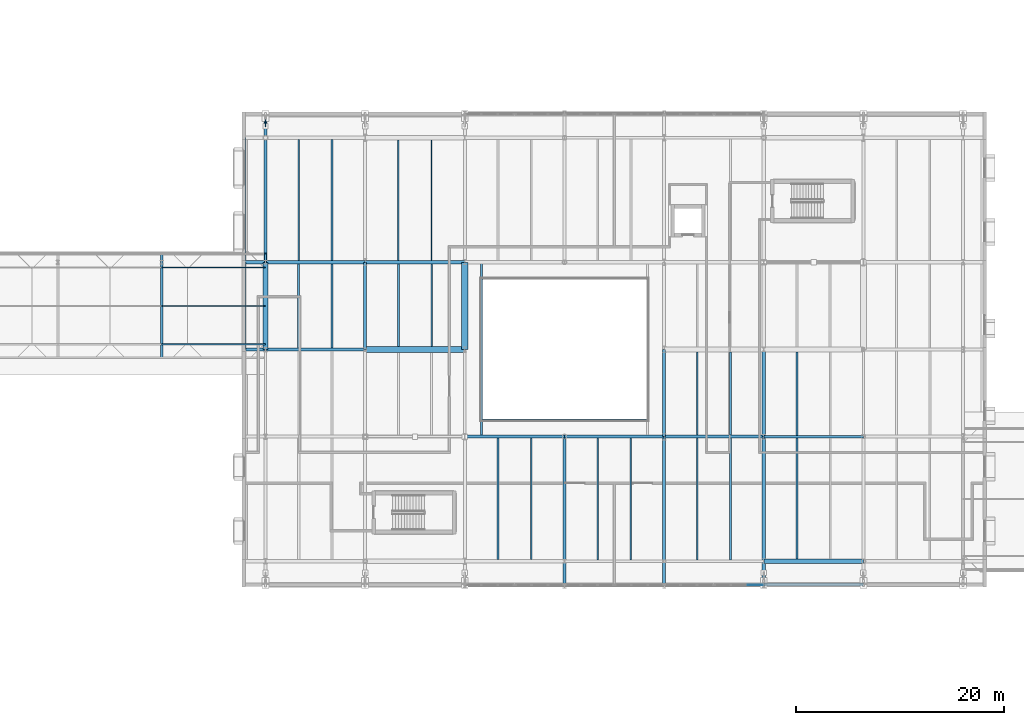
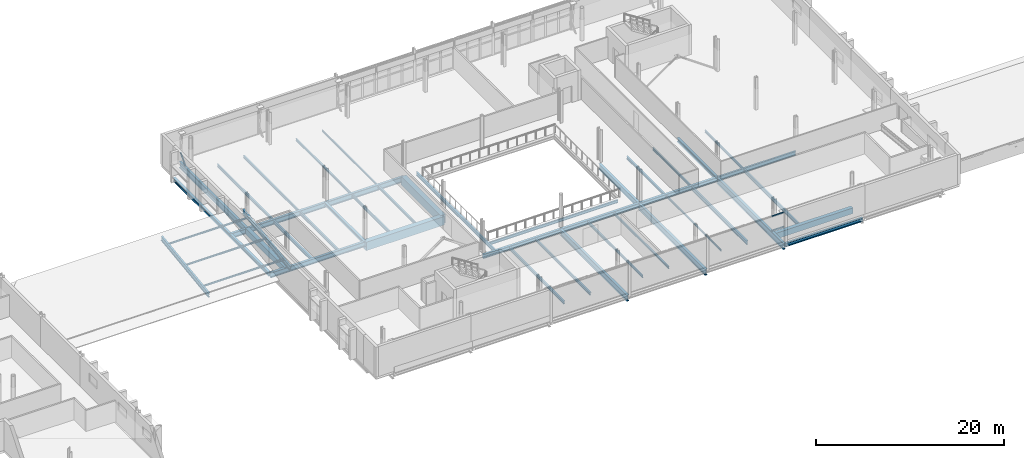
# One storey, part 28 of 90: 43 beams, 6 members, 1 element without a shape of its own.
"""IFC4 building model written with IfcOpenShell, lengths in metres."""

from ifc_helpers import new_model, si_unit, direction, frame, origin, origin_2d, place, context, subcontext, project, spatial, rectangle, hollow_rectangle, i_section, extrude, material, layer, layer_set, material_profile, profile_set, type_object, element, aggregate, save


model = new_model("IFC4")

# Units and contexts
model_context = context("Model", 3, precision=1e-05, world=origin(), true_north=direction((0.0, 1.0)))
body_context = subcontext(model_context, "Body", "Model", "MODEL_VIEW")
ifc_project = project(units=[si_unit("LENGTHUNIT", "METRE"), si_unit("AREAUNIT", "SQUARE_METRE"), si_unit("VOLUMEUNIT", "CUBIC_METRE"), si_unit("PLANEANGLEUNIT", "RADIAN"), si_unit("MASSUNIT", "GRAM", prefix="KILO")], contexts=[model_context])

# Site, building, storey
site_placement = place(None, origin())
site = spatial("IfcSite", under=ifc_project, at=site_placement, CompositionType="ELEMENT")
building_placement = place(site_placement, origin())
building = spatial("IfcBuilding", under=site, at=building_placement, Name="Zereglee Splitstone Museum", CompositionType="ELEMENT")
storey_placement = place(building_placement, frame((0.0, 0.0, 4.800048828125)))
storey = spatial("IfcBuildingStorey", under=building, at=storey_placement, Name="L01", CompositionType="ELEMENT", Elevation=4.800048828125)

# Beams
ifc_material_1 = material(Name="Concrete C40/50", Category="concrete")
ifc_material_profile_1 = material_profile(ifc_material_1, rectangle(XDim=0.60009765625, YDim=1.10009765625, at=origin_2d()), Name="RC 600x1100")
ifc_profile_set_1 = profile_set([ifc_material_profile_1], Name="Concrete C40/50")
beam_type_1 = type_object("IfcBeamType", Name="BG-01", PredefinedType="BEAM", material=ifc_profile_set_1)
beam_1_placement = place(storey_placement, frame((87.60009765625, 30.0, -0.85009765625), z_axis=(1.0, 0.0, 0.0), x_axis=(0.0, 1.0, 0.0)))
element("IfcBeam", 1, at=beam_1_placement, inside=storey, type_object=beam_type_1, Name="Primary Girder L01 D (87.6-97.2)", PredefinedType="BEAM", context=body_context, shape_type="SweptSolid", body=[
    extrude(rectangle(XDim=0.60009765625, YDim=1.10009765625, at=origin_2d()), origin(), (0.0, 0.0, 1.0), 9.599853515625),
])
beam_2_placement = place(storey_placement, frame((97.199951171875, 30.0, -0.85009765625), z_axis=(0.0, 1.0, 0.0), x_axis=(-1.0, 0.0, 0.0)))
element("IfcBeam", 2, at=beam_2_placement, inside=storey, type_object=beam_type_1, Name="Primary Girder L01 12 (30.0-38.4)", PredefinedType="BEAM", context=body_context, shape_type="SweptSolid", body=[
    extrude(rectangle(XDim=0.60009765625, YDim=1.10009765625, at=origin_2d()), origin(), (0.0, 0.0, 1.0), 8.39990234375),
])

# Curtain wall, members
ifc_material_2 = material(Name="Triple-glazed low-E argon glass and bronze-anodised aluminium", Category="aluminium")
ifc_layer = layer(ifc_material_2, 0.219970703125)
ifc_layer_set = layer_set([ifc_layer], Name="Triple-glazed low-E argon glass and bronze-anodised aluminium")
curtain_wall_type = type_object("IfcCurtainWallType", Name="CW-0476-376", PredefinedType="USERDEFINED", material=ifc_layer_set)
curtain_wall_placement = place(storey_placement, origin())
curtain_wall = element("IfcCurtainWall", 3, at=curtain_wall_placement, inside=storey, type_object=curtain_wall_type, Name="Glazed Curtain Wall CW-0476-376 (L01)", ObjectType="GLAZED CURTAIN WALL", PredefinedType="USERDEFINED")
ifc_material_3 = material(Name="Thermally broken bronze-anodised aluminium", Category="aluminium")
ifc_material_profile_2 = material_profile(ifc_material_3, rectangle(XDim=0.074951171875, YDim=0.1650390625, at=origin_2d()), Name="CW TRAN 75x165")
ifc_profile_set_2 = profile_set([ifc_material_profile_2], Name="Thermally broken bronze-anodised aluminium")
member_type_1 = type_object("IfcMemberType", Name="CWT-02", PredefinedType="USERDEFINED", material=ifc_profile_set_2)
member_1_placement = place(storey_placement, frame((124.450927734375, 7.320068359375, 1.8798828125), z_axis=(1.0, 0.0, 0.0), x_axis=(0.0, 1.0, 0.0)))
member_1 = element("IfcMember", 4, at=member_1_placement, type_object=member_type_1, Name="CW-0476-376 transom 3.2", ObjectType="TRANSOM", PredefinedType="USERDEFINED", context=body_context, shape_type="SweptSolid", body=[
    extrude(rectangle(XDim=0.074951171875, YDim=0.1650390625, at=origin_2d()), origin(), (0.0, 0.0, 1.0), 1.47412109375),
])
member_2_placement = place(storey_placement, frame((124.450927734375, 7.320068359375, 3.722412109375), z_axis=(1.0, 0.0, 0.0), x_axis=(0.0, 1.0, 0.0)))
member_2 = element("IfcMember", 5, at=member_2_placement, type_object=member_type_1, Name="CW-0476-376 transom 3.3", ObjectType="TRANSOM", PredefinedType="USERDEFINED", context=body_context, shape_type="SweptSolid", body=[
    extrude(rectangle(XDim=0.074951171875, YDim=0.1650390625, at=origin_2d()), origin(), (0.0, 0.0, 1.0), 1.47412109375),
])
aggregate(curtain_wall, [member_1, member_2])

# Beams
ifc_material_4 = material(Name="Steel S355J2", Category="steel")
ifc_material_profile_3 = material_profile(ifc_material_4, i_section(OverallWidth=0.300048828125, OverallDepth=0.39990234375, WebThickness=0.013427734375, FlangeThickness=0.02392578125, FilletRadius=0.027099609375, at=origin_2d()), Name="HE 400 B")
ifc_profile_set_3 = profile_set([ifc_material_profile_3], Name="Steel S355J2")
beam_type_2 = type_object("IfcBeamType", Name="BG-13", PredefinedType="BEAM", material=ifc_profile_set_3)
beam_3_placement = place(storey_placement, frame((87.60009765625, 30.0, -0.5), z_axis=(0.0, 1.0, 0.0), x_axis=(-1.0, 0.0, 0.0)))
element("IfcBeam", 6, at=beam_3_placement, inside=storey, type_object=beam_type_2, Name="Primary Girder L01 11 (30.0-38.4)", PredefinedType="BEAM", context=body_context, shape_type="SweptSolid", body=[
    extrude(i_section(OverallWidth=0.300048828125, OverallDepth=0.39990234375, WebThickness=0.013427734375, FlangeThickness=0.02392578125, FilletRadius=0.027099609375, at=origin_2d()), origin(), (0.0, 0.0, 1.0), 8.39990234375),
])
ifc_material_profile_4 = material_profile(ifc_material_4, i_section(OverallWidth=0.300048828125, OverallDepth=0.5, WebThickness=0.014404296875, FlangeThickness=0.028076171875, FilletRadius=0.027099609375, at=origin_2d()), Name="HE 500 B")
ifc_profile_set_4 = profile_set([ifc_material_profile_4], Name="Steel S355J2")
beam_type_3 = type_object("IfcBeamType", Name="BG-12", PredefinedType="BEAM", material=ifc_profile_set_4)
beam_4_placement = place(storey_placement, frame((97.199951171875, 21.60009765625, -0.550048828125), z_axis=(1.0, 0.0, 0.0), x_axis=(0.0, 1.0, 0.0)))
element("IfcBeam", 7, at=beam_4_placement, inside=storey, type_object=beam_type_3, Name="Primary Girder L01 C (97.2-106.8)", PredefinedType="BEAM", context=body_context, shape_type="SweptSolid", body=[
    extrude(i_section(OverallWidth=0.300048828125, OverallDepth=0.5, WebThickness=0.014404296875, FlangeThickness=0.028076171875, FilletRadius=0.027099609375, at=origin_2d()), origin(), (0.0, 0.0, 1.0), 9.60009765625),
])
beam_5_placement = place(storey_placement, frame((126.0, 21.60009765625, -0.550048828125), z_axis=(0.0, 1.0, 0.0), x_axis=(-1.0, 0.0, 0.0)))
element("IfcBeam", 8, at=beam_5_placement, inside=storey, type_object=beam_type_3, Name="Primary Girder L01 15 (21.6-30.0)", PredefinedType="BEAM", context=body_context, shape_type="SweptSolid", body=[
    extrude(i_section(OverallWidth=0.300048828125, OverallDepth=0.5, WebThickness=0.014404296875, FlangeThickness=0.028076171875, FilletRadius=0.027099609375, at=origin_2d()), origin(), (0.0, 0.0, 1.0), 8.39990234375),
])
ifc_material_profile_5 = material_profile(ifc_material_4, i_section(OverallWidth=0.300048828125, OverallDepth=0.550048828125, WebThickness=0.014892578125, FlangeThickness=0.029052734375, FilletRadius=0.027099609375, at=origin_2d()), Name="HE 550 B")
ifc_profile_set_5 = profile_set([ifc_material_profile_5], Name="Steel S355J2")
beam_type_4 = type_object("IfcBeamType", Name="BG-11", PredefinedType="BEAM", material=ifc_profile_set_5)
beam_6_placement = place(storey_placement, frame((106.800048828125, 21.60009765625, -0.574951171875), z_axis=(1.0, 0.0, 0.0), x_axis=(0.0, 1.0, 0.0)))
element("IfcBeam", 9, at=beam_6_placement, inside=storey, type_object=beam_type_4, Name="Primary Girder L01 C (106.8-116.4)", PredefinedType="BEAM", context=body_context, shape_type="SweptSolid", body=[
    extrude(i_section(OverallWidth=0.300048828125, OverallDepth=0.550048828125, WebThickness=0.014892578125, FlangeThickness=0.029052734375, FilletRadius=0.027099609375, at=origin_2d()), origin(), (0.0, 0.0, 1.0), 9.599853515625),
])
beam_7_placement = place(storey_placement, frame((116.39990234375, 21.60009765625, -0.574951171875), z_axis=(1.0, 0.0, 0.0), x_axis=(0.0, 1.0, 0.0)))
element("IfcBeam", 10, at=beam_7_placement, inside=storey, type_object=beam_type_4, Name="Primary Girder L01 C (116.4-126.0)", PredefinedType="BEAM", context=body_context, shape_type="SweptSolid", body=[
    extrude(i_section(OverallWidth=0.300048828125, OverallDepth=0.550048828125, WebThickness=0.014892578125, FlangeThickness=0.029052734375, FilletRadius=0.027099609375, at=origin_2d()), origin(), (0.0, 0.0, 1.0), 9.60009765625),
])
ifc_material_profile_6 = material_profile(ifc_material_4, i_section(OverallWidth=0.300048828125, OverallDepth=0.64990234375, WebThickness=0.01611328125, FlangeThickness=0.031005859375, FilletRadius=0.027099609375, at=origin_2d()), Name="HE 650 B")
ifc_profile_set_6 = profile_set([ifc_material_profile_6], Name="Steel S355J2")
beam_type_5 = type_object("IfcBeamType", Name="BG-09", PredefinedType="BEAM", material=ifc_profile_set_6)
for number, where, z_axis, x_axis, name in (
    (11, (75.949951171875, 30.0, -0.625), (1.0, 0.0, 0.0), (0.0, 1.0, 0.0), "Primary Girder L01 D (76.0-87.6)"),
    (12, (75.949951171875, 38.39990234375, -0.625), (1.0, 0.0, 0.0), (0.0, 1.0, 0.0), "Primary Girder L01 E (76.0-87.6)"),
):
    element("IfcBeam", number, at=place(storey_placement, frame(where, z_axis=z_axis, x_axis=x_axis)), inside=storey, type_object=beam_type_5, Name=name, PredefinedType="BEAM", context=body_context, shape_type="SweptSolid", body=[
        extrude(i_section(OverallWidth=0.300048828125, OverallDepth=0.64990234375, WebThickness=0.01611328125, FlangeThickness=0.031005859375, FilletRadius=0.027099609375, at=origin_2d()), origin(), (0.0, 0.0, 1.0), 11.650146484375),
    ])
ifc_material_profile_7 = material_profile(ifc_material_4, i_section(OverallWidth=0.300048828125, OverallDepth=0.699951171875, WebThickness=0.01708984375, FlangeThickness=0.031982421875, FilletRadius=0.027099609375, at=origin_2d()), Name="HE 700 B")
ifc_profile_set_7 = profile_set([ifc_material_profile_7], Name="Steel S355J2")
beam_type_6 = type_object("IfcBeamType", Name="BG-08", PredefinedType="BEAM", material=ifc_profile_set_7)
beam_8_placement = place(storey_placement, frame((87.60009765625, 38.39990234375, -0.650146484375), z_axis=(1.0, 0.0, 0.0), x_axis=(0.0, 1.0, 0.0)))
element("IfcBeam", 13, at=beam_8_placement, inside=storey, type_object=beam_type_6, Name="Primary Girder L01 E (87.6-97.2)", PredefinedType="BEAM", context=body_context, shape_type="SweptSolid", body=[
    extrude(i_section(OverallWidth=0.300048828125, OverallDepth=0.699951171875, WebThickness=0.01708984375, FlangeThickness=0.031982421875, FilletRadius=0.027099609375, at=origin_2d()), origin(), (0.0, 0.0, 1.0), 9.599853515625),
])
beam_9_placement = place(storey_placement, frame((116.39990234375, 21.60009765625, -0.650146484375), z_axis=(0.0, 1.0, 0.0), x_axis=(-1.0, 0.0, 0.0)))
element("IfcBeam", 14, at=beam_9_placement, inside=storey, type_object=beam_type_6, Name="Primary Girder L01 14 (21.6-30.0)", PredefinedType="BEAM", context=body_context, shape_type="SweptSolid", body=[
    extrude(i_section(OverallWidth=0.300048828125, OverallDepth=0.699951171875, WebThickness=0.01708984375, FlangeThickness=0.031982421875, FilletRadius=0.027099609375, at=origin_2d()), origin(), (0.0, 0.0, 1.0), 8.39990234375),
])
ifc_material_profile_8 = material_profile(ifc_material_4, i_section(OverallWidth=0.300048828125, OverallDepth=0.800048828125, WebThickness=0.017578125, FlangeThickness=0.032958984375, FilletRadius=0.030029296875, at=origin_2d()), Name="HE 800 B")
ifc_profile_set_8 = profile_set([ifc_material_profile_8], Name="Steel S355J2")
beam_type_7 = type_object("IfcBeamType", Name="BG-07", PredefinedType="BEAM", material=ifc_profile_set_8)
for number, where, z_axis, x_axis, name in (
    (15, (78.0, 38.39990234375, -0.699951171875), (0.0, 1.0, 0.0), (-1.0, 0.0, 0.0), "Primary Girder L01 10 (38.4-52.6)"),
    (16, (106.800048828125, 7.35009765625, -0.699951171875), (0.0, 1.0, 0.0), (-1.0, 0.0, 0.0), "Primary Girder L01 13 (7.3-21.6)"),
    (17, (116.39990234375, 7.35009765625, -0.699951171875), (0.0, 1.0, 0.0), (-1.0, 0.0, 0.0), "Primary Girder L01 14 (7.3-21.6)"),
    (18, (126.0, 7.35009765625, -0.699951171875), (0.0, 1.0, 0.0), (-1.0, 0.0, 0.0), "Primary Girder L01 15 (7.3-21.6)"),
):
    element("IfcBeam", number, at=place(storey_placement, frame(where, z_axis=z_axis, x_axis=x_axis)), inside=storey, type_object=beam_type_7, Name=name, PredefinedType="BEAM", context=body_context, shape_type="SweptSolid", body=[
        extrude(i_section(OverallWidth=0.300048828125, OverallDepth=0.800048828125, WebThickness=0.017578125, FlangeThickness=0.032958984375, FilletRadius=0.030029296875, at=origin_2d()), origin(), (0.0, 0.0, 1.0), 14.25),
    ])
ifc_material_profile_9 = material_profile(ifc_material_4, i_section(OverallWidth=0.2099609375, OverallDepth=0.550048828125, WebThickness=0.010986328125, FlangeThickness=0.01708984375, FilletRadius=0.02392578125, at=origin_2d()), Name="IPE 550")
ifc_profile_set_9 = profile_set([ifc_material_profile_9], Name="Steel S355J2")
beam_type_8 = type_object("IfcBeamType", Name="BG-16", PredefinedType="BEAM", material=ifc_profile_set_9)
beam_10_placement = place(storey_placement, frame((126.0, 21.60009765625, -0.574951171875), z_axis=(1.0, 0.0, 0.0), x_axis=(0.0, 1.0, 0.0)))
element("IfcBeam", 19, at=beam_10_placement, inside=storey, type_object=beam_type_8, Name="Primary Girder L01 C (126.0-135.6)", PredefinedType="BEAM", context=body_context, shape_type="SweptSolid", body=[
    extrude(i_section(OverallWidth=0.2099609375, OverallDepth=0.550048828125, WebThickness=0.010986328125, FlangeThickness=0.01708984375, FilletRadius=0.02392578125, at=origin_2d()), origin(), (0.0, 0.0, 1.0), 9.60009765625),
])
ifc_material_profile_10 = material_profile(ifc_material_4, i_section(OverallWidth=0.1201171875, OverallDepth=0.239990234375, WebThickness=0.006103515625, FlangeThickness=0.009765625, FilletRadius=0.014892578125, at=origin_2d()), Name="IPE 240")
ifc_profile_set_10 = profile_set([ifc_material_profile_10], Name="Steel S355J2")
beam_type_9 = type_object("IfcBeamType", Name="BJ-07", PredefinedType="JOIST", material=ifc_profile_set_10)
beam_11_placement = place(storey_placement, frame((119.60009765625, 9.699951171875, -0.420166015625), z_axis=(0.0, 1.0, 0.0), x_axis=(-1.0, 0.0, 0.0)))
element("IfcBeam", 20, at=beam_11_placement, inside=storey, type_object=beam_type_9, Name="Secondary Floor Joist L01-0713", PredefinedType="JOIST", context=body_context, shape_type="SweptSolid", body=[
    extrude(i_section(OverallWidth=0.1201171875, OverallDepth=0.239990234375, WebThickness=0.006103515625, FlangeThickness=0.009765625, FilletRadius=0.014892578125, at=origin_2d()), origin(), (0.0, 0.0, 1.0), 11.75),
])
beam_12_placement = place(storey_placement, frame((94.0, 38.550048828125, -0.420166015625), z_axis=(0.0, 1.0, 0.0), x_axis=(-1.0, 0.0, 0.0)))
element("IfcBeam", 21, at=beam_12_placement, inside=storey, type_object=beam_type_9, Name="Secondary Floor Joist L01-0797", PredefinedType="JOIST", context=body_context, shape_type="SweptSolid", body=[
    extrude(i_section(OverallWidth=0.1201171875, OverallDepth=0.239990234375, WebThickness=0.006103515625, FlangeThickness=0.009765625, FilletRadius=0.014892578125, at=origin_2d()), origin(), (0.0, 0.0, 1.0), 11.625),
])
ifc_material_profile_11 = material_profile(ifc_material_4, i_section(OverallWidth=0.14990234375, OverallDepth=0.300048828125, WebThickness=0.007080078125, FlangeThickness=0.0107421875, FilletRadius=0.014892578125, at=origin_2d()), Name="IPE 300")
ifc_profile_set_11 = profile_set([ifc_material_profile_11], Name="Steel S355J2")
beam_type_10 = type_object("IfcBeamType", Name="BJ-06", PredefinedType="JOIST", material=ifc_profile_set_11)
beam_13_placement = place(storey_placement, frame((113.199951171875, 9.739990234375, -0.449951171875), z_axis=(0.0, 1.0, 0.0), x_axis=(-1.0, 0.0, 0.0)))
element("IfcBeam", 22, at=beam_13_placement, inside=storey, type_object=beam_type_10, Name="Secondary Floor Joist L01-0712", PredefinedType="JOIST", context=body_context, shape_type="SweptSolid", body=[
    extrude(i_section(OverallWidth=0.14990234375, OverallDepth=0.300048828125, WebThickness=0.007080078125, FlangeThickness=0.0107421875, FilletRadius=0.014892578125, at=origin_2d()), origin(), (0.0, 0.0, 1.0), 11.7099609375),
])
beam_14_placement = place(storey_placement, frame((129.199951171875, 21.705078125, -0.449951171875), z_axis=(0.0, 1.0, 0.0), x_axis=(-1.0, 0.0, 0.0)))
element("IfcBeam", 23, at=beam_14_placement, inside=storey, type_object=beam_type_10, Name="Secondary Floor Joist L01-0740", PredefinedType="JOIST", context=body_context, shape_type="SweptSolid", body=[
    extrude(i_section(OverallWidth=0.14990234375, OverallDepth=0.300048828125, WebThickness=0.007080078125, FlangeThickness=0.0107421875, FilletRadius=0.014892578125, at=origin_2d()), origin(), (0.0, 0.0, 1.0), 8.06982421875),
])
beam_15_placement = place(storey_placement, frame((90.800048828125, 38.550048828125, -0.449951171875), z_axis=(0.0, 1.0, 0.0), x_axis=(-1.0, 0.0, 0.0)))
element("IfcBeam", 24, at=beam_15_placement, inside=storey, type_object=beam_type_10, Name="Secondary Floor Joist L01-0796", PredefinedType="JOIST", context=body_context, shape_type="SweptSolid", body=[
    extrude(i_section(OverallWidth=0.14990234375, OverallDepth=0.300048828125, WebThickness=0.007080078125, FlangeThickness=0.0107421875, FilletRadius=0.014892578125, at=origin_2d()), origin(), (0.0, 0.0, 1.0), 11.625),
])
ifc_material_profile_12 = material_profile(ifc_material_4, i_section(OverallWidth=0.159912109375, OverallDepth=0.330078125, WebThickness=0.007568359375, FlangeThickness=0.011474609375, FilletRadius=0.01806640625, at=origin_2d()), Name="IPE 330")
ifc_profile_set_12 = profile_set([ifc_material_profile_12], Name="Steel S355J2")
beam_type_11 = type_object("IfcBeamType", Name="BJ-05", PredefinedType="JOIST", material=ifc_profile_set_12)
beam_16_placement = place(storey_placement, frame((110.0, 9.739990234375, -0.465087890625), z_axis=(0.0, 1.0, 0.0), x_axis=(-1.0, 0.0, 0.0)))
element("IfcBeam", 25, at=beam_16_placement, inside=storey, type_object=beam_type_11, Name="Secondary Floor Joist L01-0711", PredefinedType="JOIST", context=body_context, shape_type="SweptSolid", body=[
    extrude(i_section(OverallWidth=0.159912109375, OverallDepth=0.330078125, WebThickness=0.007568359375, FlangeThickness=0.011474609375, FilletRadius=0.01806640625, at=origin_2d()), origin(), (0.0, 0.0, 1.0), 11.7099609375),
])
beam_17_placement = place(storey_placement, frame((122.800048828125, 21.75, -0.465087890625), z_axis=(0.0, 1.0, 0.0), x_axis=(-1.0, 0.0, 0.0)))
element("IfcBeam", 26, at=beam_17_placement, inside=storey, type_object=beam_type_11, Name="Secondary Floor Joist L01-0739", PredefinedType="JOIST", context=body_context, shape_type="SweptSolid", body=[
    extrude(i_section(OverallWidth=0.159912109375, OverallDepth=0.330078125, WebThickness=0.007568359375, FlangeThickness=0.011474609375, FilletRadius=0.01806640625, at=origin_2d()), origin(), (0.0, 0.0, 1.0), 8.0),
])
beam_18_placement = place(storey_placement, frame((94.0, 30.300048828125, -0.465087890625), z_axis=(0.0, 1.0, 0.0), x_axis=(-1.0, 0.0, 0.0)))
element("IfcBeam", 27, at=beam_18_placement, inside=storey, type_object=beam_type_11, Name="Secondary Floor Joist L01-0767", PredefinedType="JOIST", context=body_context, shape_type="SweptSolid", body=[
    extrude(i_section(OverallWidth=0.159912109375, OverallDepth=0.330078125, WebThickness=0.007568359375, FlangeThickness=0.011474609375, FilletRadius=0.01806640625, at=origin_2d()), origin(), (0.0, 0.0, 1.0), 7.949951171875),
])
beam_19_placement = place(storey_placement, frame((84.39990234375, 38.550048828125, -0.465087890625), z_axis=(0.0, 1.0, 0.0), x_axis=(-1.0, 0.0, 0.0)))
element("IfcBeam", 28, at=beam_19_placement, inside=storey, type_object=beam_type_11, Name="Secondary Floor Joist L01-0795", PredefinedType="JOIST", context=body_context, shape_type="SweptSolid", body=[
    extrude(i_section(OverallWidth=0.159912109375, OverallDepth=0.330078125, WebThickness=0.007568359375, FlangeThickness=0.011474609375, FilletRadius=0.01806640625, at=origin_2d()), origin(), (0.0, 0.0, 1.0), 11.699951171875),
])
ifc_material_profile_13 = material_profile(ifc_material_4, i_section(OverallWidth=0.169921875, OverallDepth=0.360107421875, WebThickness=0.008056640625, FlangeThickness=0.0126953125, FilletRadius=0.01806640625, at=origin_2d()), Name="IPE 360")
ifc_profile_set_13 = profile_set([ifc_material_profile_13], Name="Steel S355J2")
beam_type_12 = type_object("IfcBeamType", Name="BJ-04", PredefinedType="JOIST", material=ifc_profile_set_13)
beam_20_placement = place(storey_placement, frame((103.60009765625, 9.75, -0.47998046875), z_axis=(0.0, 1.0, 0.0), x_axis=(-1.0, 0.0, 0.0)))
element("IfcBeam", 29, at=beam_20_placement, inside=storey, type_object=beam_type_12, Name="Secondary Floor Joist L01-0710", PredefinedType="JOIST", context=body_context, shape_type="SweptSolid", body=[
    extrude(i_section(OverallWidth=0.169921875, OverallDepth=0.360107421875, WebThickness=0.008056640625, FlangeThickness=0.0126953125, FilletRadius=0.01806640625, at=origin_2d()), origin(), (0.0, 0.0, 1.0), 11.699951171875),
])
beam_21_placement = place(storey_placement, frame((119.60009765625, 21.75, -0.47998046875), z_axis=(0.0, 1.0, 0.0), x_axis=(-1.0, 0.0, 0.0)))
element("IfcBeam", 30, at=beam_21_placement, inside=storey, type_object=beam_type_12, Name="Secondary Floor Joist L01-0738", PredefinedType="JOIST", context=body_context, shape_type="SweptSolid", body=[
    extrude(i_section(OverallWidth=0.169921875, OverallDepth=0.360107421875, WebThickness=0.008056640625, FlangeThickness=0.0126953125, FilletRadius=0.01806640625, at=origin_2d()), origin(), (0.0, 0.0, 1.0), 8.0),
])
beam_22_placement = place(storey_placement, frame((90.800048828125, 30.300048828125, -0.47998046875), z_axis=(0.0, 1.0, 0.0), x_axis=(-1.0, 0.0, 0.0)))
element("IfcBeam", 31, at=beam_22_placement, inside=storey, type_object=beam_type_12, Name="Secondary Floor Joist L01-0766", PredefinedType="JOIST", context=body_context, shape_type="SweptSolid", body=[
    extrude(i_section(OverallWidth=0.169921875, OverallDepth=0.360107421875, WebThickness=0.008056640625, FlangeThickness=0.0126953125, FilletRadius=0.01806640625, at=origin_2d()), origin(), (0.0, 0.0, 1.0), 7.949951171875),
])
beam_23_placement = place(storey_placement, frame((81.199951171875, 38.550048828125, -0.47998046875), z_axis=(0.0, 1.0, 0.0), x_axis=(-1.0, 0.0, 0.0)))
element("IfcBeam", 32, at=beam_23_placement, inside=storey, type_object=beam_type_12, Name="Secondary Floor Joist L01-0794", PredefinedType="JOIST", context=body_context, shape_type="SweptSolid", body=[
    extrude(i_section(OverallWidth=0.169921875, OverallDepth=0.360107421875, WebThickness=0.008056640625, FlangeThickness=0.0126953125, FilletRadius=0.01806640625, at=origin_2d()), origin(), (0.0, 0.0, 1.0), 11.699951171875),
])
beam_24_placement = place(storey_placement, frame((98.89990234375, 23.199951171875, -0.47998046875), z_axis=(1.0, 0.0, 0.0), x_axis=(0.0, 1.0, 0.0)))
element("IfcBeam", 33, at=beam_24_placement, inside=storey, type_object=beam_type_12, Name="Atrium Rim Beam L01 S", PredefinedType="JOIST", context=body_context, shape_type="SweptSolid", body=[
    extrude(i_section(OverallWidth=0.169921875, OverallDepth=0.360107421875, WebThickness=0.008056640625, FlangeThickness=0.0126953125, FilletRadius=0.01806640625, at=origin_2d()), origin(), (0.0, 0.0, 1.0), 15.800048828125),
])
ifc_material_profile_14 = material_profile(ifc_material_4, i_section(OverallWidth=0.179931640625, OverallDepth=0.39990234375, WebThickness=0.008544921875, FlangeThickness=0.013427734375, FilletRadius=0.02099609375, at=origin_2d()), Name="IPE 400")
ifc_profile_set_14 = profile_set([ifc_material_profile_14], Name="Steel S355J2")
beam_type_13 = type_object("IfcBeamType", Name="BJ-03", PredefinedType="JOIST", material=ifc_profile_set_14)
beam_25_placement = place(storey_placement, frame((100.39990234375, 9.75, -0.5), z_axis=(0.0, 1.0, 0.0), x_axis=(-1.0, 0.0, 0.0)))
element("IfcBeam", 34, at=beam_25_placement, inside=storey, type_object=beam_type_13, Name="Secondary Floor Joist L01-0709", PredefinedType="JOIST", context=body_context, shape_type="SweptSolid", body=[
    extrude(i_section(OverallWidth=0.179931640625, OverallDepth=0.39990234375, WebThickness=0.008544921875, FlangeThickness=0.013427734375, FilletRadius=0.02099609375, at=origin_2d()), origin(), (0.0, 0.0, 1.0), 11.699951171875),
])
beam_26_placement = place(storey_placement, frame((84.39990234375, 30.14990234375, -0.5), z_axis=(0.0, 1.0, 0.0), x_axis=(-1.0, 0.0, 0.0)))
element("IfcBeam", 35, at=beam_26_placement, inside=storey, type_object=beam_type_13, Name="Secondary Floor Joist L01-0765", PredefinedType="JOIST", context=body_context, shape_type="SweptSolid", body=[
    extrude(i_section(OverallWidth=0.179931640625, OverallDepth=0.39990234375, WebThickness=0.008544921875, FlangeThickness=0.013427734375, FilletRadius=0.02099609375, at=origin_2d()), origin(), (0.0, 0.0, 1.0), 8.10009765625),
])
ifc_material_profile_15 = material_profile(ifc_material_4, i_section(OverallWidth=0.18994140625, OverallDepth=0.449951171875, WebThickness=0.009521484375, FlangeThickness=0.0146484375, FilletRadius=0.02099609375, at=origin_2d()), Name="IPE 450")
ifc_profile_set_15 = profile_set([ifc_material_profile_15], Name="Steel S355J2")
beam_type_14 = type_object("IfcBeamType", Name="BJ-02", PredefinedType="JOIST", material=ifc_profile_set_15)
beam_27_placement = place(storey_placement, frame((129.199951171875, 9.824951171875, -0.525146484375), z_axis=(0.0, 1.0, 0.0), x_axis=(-1.0, 0.0, 0.0)))
element("IfcBeam", 36, at=beam_27_placement, inside=storey, type_object=beam_type_14, Name="Secondary Floor Joist L01-0715", PredefinedType="JOIST", context=body_context, shape_type="SweptSolid", body=[
    extrude(i_section(OverallWidth=0.18994140625, OverallDepth=0.449951171875, WebThickness=0.009521484375, FlangeThickness=0.0146484375, FilletRadius=0.02099609375, at=origin_2d()), origin(), (0.0, 0.0, 1.0), 11.670166015625),
])
beam_28_placement = place(storey_placement, frame((81.199951171875, 30.14990234375, -0.525146484375), z_axis=(0.0, 1.0, 0.0), x_axis=(-1.0, 0.0, 0.0)))
element("IfcBeam", 37, at=beam_28_placement, inside=storey, type_object=beam_type_14, Name="Secondary Floor Joist L01-0764", PredefinedType="JOIST", context=body_context, shape_type="SweptSolid", body=[
    extrude(i_section(OverallWidth=0.18994140625, OverallDepth=0.449951171875, WebThickness=0.009521484375, FlangeThickness=0.0146484375, FilletRadius=0.02099609375, at=origin_2d()), origin(), (0.0, 0.0, 1.0), 8.10009765625),
])
beam_29_placement = place(storey_placement, frame((98.800048828125, 21.60009765625, -0.525146484375), z_axis=(0.0, 1.0, 0.0), x_axis=(-1.0, 0.0, 0.0)))
element("IfcBeam", 38, at=beam_29_placement, inside=storey, type_object=beam_type_14, Name="Atrium Edge Beam L01 W", PredefinedType="JOIST", context=body_context, shape_type="SweptSolid", body=[
    extrude(i_section(OverallWidth=0.18994140625, OverallDepth=0.449951171875, WebThickness=0.009521484375, FlangeThickness=0.0146484375, FilletRadius=0.02099609375, at=origin_2d()), origin(), (0.0, 0.0, 1.0), 16.7998046875),
])
ifc_material_profile_16 = material_profile(ifc_material_4, i_section(OverallWidth=0.199951171875, OverallDepth=0.5, WebThickness=0.01025390625, FlangeThickness=0.01611328125, FilletRadius=0.02099609375, at=origin_2d()), Name="IPE 500")
ifc_profile_set_16 = profile_set([ifc_material_profile_16], Name="Steel S355J2")
beam_type_15 = type_object("IfcBeamType", Name="BJ-01", PredefinedType="JOIST", material=ifc_profile_set_16)
beam_30_placement = place(storey_placement, frame((122.800048828125, 9.699951171875, -0.550048828125), z_axis=(0.0, 1.0, 0.0), x_axis=(-1.0, 0.0, 0.0)))
element("IfcBeam", 39, at=beam_30_placement, inside=storey, type_object=beam_type_15, Name="Secondary Floor Joist L01-0714", PredefinedType="JOIST", context=body_context, shape_type="SweptSolid", body=[
    extrude(i_section(OverallWidth=0.199951171875, OverallDepth=0.5, WebThickness=0.01025390625, FlangeThickness=0.01611328125, FilletRadius=0.02099609375, at=origin_2d()), origin(), (0.0, 0.0, 1.0), 11.75),
])

# Members
ifc_material_profile_17 = material_profile(ifc_material_4, i_section(OverallWidth=0.110107421875, OverallDepth=0.219970703125, WebThickness=0.005859375, FlangeThickness=0.00927734375, FilletRadius=0.011962890625, at=origin_2d()), Name="IPE 220")
ifc_profile_set_17 = profile_set([ifc_material_profile_17], Name="Steel S355J2")
member_type_2 = type_object("IfcMemberType", Name="PR-04", PredefinedType="PURLIN", material=ifc_profile_set_17)
for number, where, z_axis, x_axis, name in (
    (40, (68.0, 30.5, 0.399658203125), (1.0, 0.0, 0.0), (0.0, 1.0, 0.0), "Roof Purlin RF-L1 (68.0-78.0)"),
    (41, (68.0, 34.199951171875, 0.883544921875), (1.0, 0.0, 0.0), (0.0, 1.0, 0.0), "Roof Purlin RF-L1 (68.0-78.0)"),
    (42, (68.0, 37.89990234375, 1.367431640625), (1.0, 0.0, 0.0), (0.0, 1.0, 0.0), "Roof Purlin RF-L1 (68.0-78.0)"),
):
    element("IfcMember", number, at=place(storey_placement, frame(where, z_axis=z_axis, x_axis=x_axis)), inside=storey, type_object=member_type_2, Name=name, PredefinedType="PURLIN", context=body_context, shape_type="SweptSolid", body=[
        extrude(i_section(OverallWidth=0.110107421875, OverallDepth=0.219970703125, WebThickness=0.005859375, FlangeThickness=0.00927734375, FilletRadius=0.011962890625, at=origin_2d()), origin(), (0.0, 0.0, 1.0), 10.0),
    ])

# Beams
ifc_material_profile_18 = material_profile(ifc_material_4, i_section(OverallWidth=0.219970703125, OverallDepth=0.60009765625, WebThickness=0.011962890625, FlangeThickness=0.01904296875, FilletRadius=0.02392578125, at=origin_2d()), Name="IPE 600")
ifc_profile_set_18 = profile_set([ifc_material_profile_18], Name="Steel S355J2")
beam_type_16 = type_object("IfcBeamType", Name="RR-01", PredefinedType="BEAM", material=ifc_profile_set_18)
for number, where, z_axis, x_axis, name in (
    (43, (68.0, 29.14990234375, 0.03564453125), (0.0, 0.991557588735, 0.129667066837), (-1.0, 0.0, 0.0), "Sloped Roof Girder RF-L1 X=68.0 (29.1-39.2)"),
    (44, (78.0, 29.14990234375, 0.03564453125), (0.0, 0.991557588735, 0.129667066837), (-1.0, 0.0, 0.0), "Sloped Roof Girder RF-L1 X=78.0 (29.1-39.2)"),
):
    element("IfcBeam", number, at=place(storey_placement, frame(where, z_axis=z_axis, x_axis=x_axis)), inside=storey, type_object=beam_type_16, Name=name, PredefinedType="BEAM", context=body_context, shape_type="SweptSolid", body=[
        extrude(i_section(OverallWidth=0.219970703125, OverallDepth=0.60009765625, WebThickness=0.011962890625, FlangeThickness=0.01904296875, FilletRadius=0.02392578125, at=origin_2d()), origin(), (0.0, 0.0, 1.0), 10.18603515625),
    ])
ifc_material_profile_19 = material_profile(ifc_material_4, i_section(OverallWidth=0.300048828125, OverallDepth=0.449951171875, WebThickness=0.013916015625, FlangeThickness=0.02587890625, FilletRadius=0.027099609375, at=origin_2d()), Name="HE 450 B")
ifc_profile_set_19 = profile_set([ifc_material_profile_19], Name="Steel S355J2")
beam_type_17 = type_object("IfcBeamType", Name="SP-02", PredefinedType="SPANDREL", material=ifc_profile_set_19)
beam_31_placement = place(storey_placement, frame((126.0, 7.35009765625, -0.525146484375), z_axis=(1.0, 0.0, 0.0), x_axis=(0.0, 1.0, 0.0)))
element("IfcBeam", 45, at=beam_31_placement, inside=storey, type_object=beam_type_17, Name="Hovering Soffit Spandrel L01 (126.0-135.6)", PredefinedType="SPANDREL", context=body_context, shape_type="SweptSolid", body=[
    extrude(i_section(OverallWidth=0.300048828125, OverallDepth=0.449951171875, WebThickness=0.013916015625, FlangeThickness=0.02587890625, FilletRadius=0.027099609375, at=origin_2d()), origin(), (0.0, 0.0, 1.0), 9.60009765625),
])
beam_32_placement = place(storey_placement, frame((75.949951171875, 30.0, -0.525146484375), z_axis=(0.0, 1.0, 0.0), x_axis=(-1.0, 0.0, 0.0)))
element("IfcBeam", 46, at=beam_32_placement, inside=storey, type_object=beam_type_17, Name="Hovering Soffit Spandrel L01 Y=(30.0-38.4)", PredefinedType="SPANDREL", context=body_context, shape_type="SweptSolid", body=[
    extrude(i_section(OverallWidth=0.300048828125, OverallDepth=0.449951171875, WebThickness=0.013916015625, FlangeThickness=0.02587890625, FilletRadius=0.027099609375, at=origin_2d()), origin(), (0.0, 0.0, 1.0), 8.39990234375),
])
beam_33_placement = place(storey_placement, frame((75.949951171875, 38.39990234375, -0.525146484375), z_axis=(0.0, 1.0, 0.0), x_axis=(-1.0, 0.0, 0.0)))
element("IfcBeam", 47, at=beam_33_placement, inside=storey, type_object=beam_type_17, Name="Hovering Soffit Spandrel L01 Y=(38.4-50.4)", PredefinedType="SPANDREL", context=body_context, shape_type="SweptSolid", body=[
    extrude(i_section(OverallWidth=0.300048828125, OverallDepth=0.449951171875, WebThickness=0.013916015625, FlangeThickness=0.02587890625, FilletRadius=0.027099609375, at=origin_2d()), origin(), (0.0, 0.0, 1.0), 12.0),
])
ifc_material_profile_20 = material_profile(ifc_material_1, rectangle(XDim=0.449951171875, YDim=0.75, at=origin_2d()), Name="RC 450x750")
ifc_profile_set_20 = profile_set([ifc_material_profile_20], Name="Concrete C40/50")
beam_type_18 = type_object("IfcBeamType", Name="SP-01", PredefinedType="SPANDREL", material=ifc_profile_set_20)
beam_34_placement = place(storey_placement, frame((126.0, 9.60009765625, -0.675048828125), z_axis=(1.0, 0.0, 0.0), x_axis=(0.0, 1.0, 0.0)))
element("IfcBeam", 48, at=beam_34_placement, inside=storey, type_object=beam_type_18, Name="Primary Girder L01 B (126.0-135.6)", PredefinedType="SPANDREL", context=body_context, shape_type="SweptSolid", body=[
    extrude(rectangle(XDim=0.449951171875, YDim=0.75, at=origin_2d()), origin(), (0.0, 0.0, 1.0), 9.60009765625),
])
beam_35_placement = place(storey_placement, frame((78.0, 30.0, -0.675048828125), z_axis=(0.0, 1.0, 0.0), x_axis=(-1.0, 0.0, 0.0)))
element("IfcBeam", 49, at=beam_35_placement, inside=storey, type_object=beam_type_18, Name="Primary Girder L01 10 (30.0-38.4)", PredefinedType="SPANDREL", context=body_context, shape_type="SweptSolid", body=[
    extrude(rectangle(XDim=0.449951171875, YDim=0.75, at=origin_2d()), origin(), (0.0, 0.0, 1.0), 8.39990234375),
])

# Member
ifc_material_5 = material(Name="Steel S355J2H", Category="steel")
ifc_material_profile_21 = material_profile(ifc_material_5, hollow_rectangle(XDim=0.1201171875, YDim=0.199951171875, WallThickness=0.008056640625, at=origin_2d()), Name="RHS 200x120x8")
ifc_profile_set_21 = profile_set([ifc_material_profile_21], Name="Steel S355J2H")
member_type_3 = type_object("IfcMemberType", Name="FS-T1", PredefinedType="STRUT", material=ifc_profile_set_21)
member_3_placement = place(storey_placement, frame((78.0, 51.5, -0.260009765625), z_axis=(0.0, 0.67257975444, 0.740024644128), x_axis=(-1.0, 0.0, 0.0)))
element("IfcMember", 50, at=member_3_placement, inside=storey, type_object=member_type_3, Name="Facet Tie-Back Strut FH-V2NW L01-01", PredefinedType="STRUT", context=body_context, shape_type="SweptSolid", body=[
    extrude(hollow_rectangle(XDim=0.1201171875, YDim=0.199951171875, WallThickness=0.008056640625, at=origin_2d()), origin(), (0.0, 0.0, 1.0), 1.5673828125),
])

save(model, "model.ifc")
